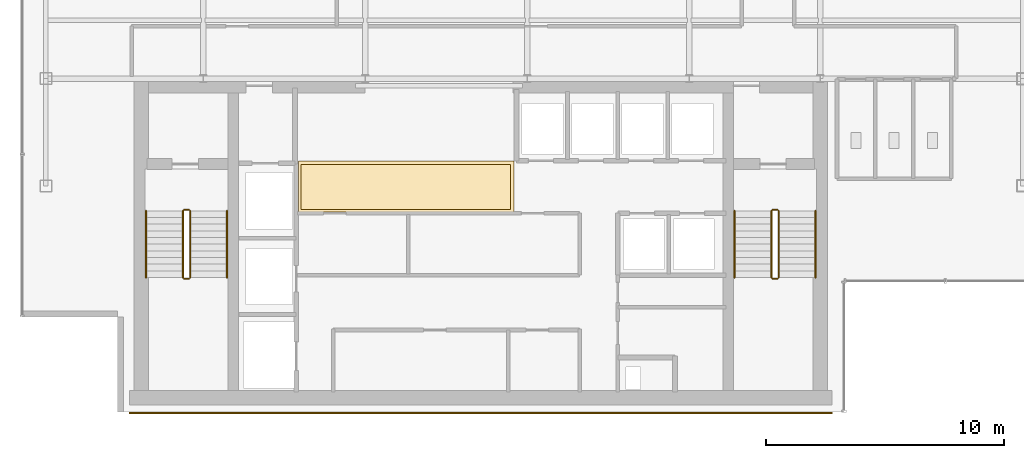
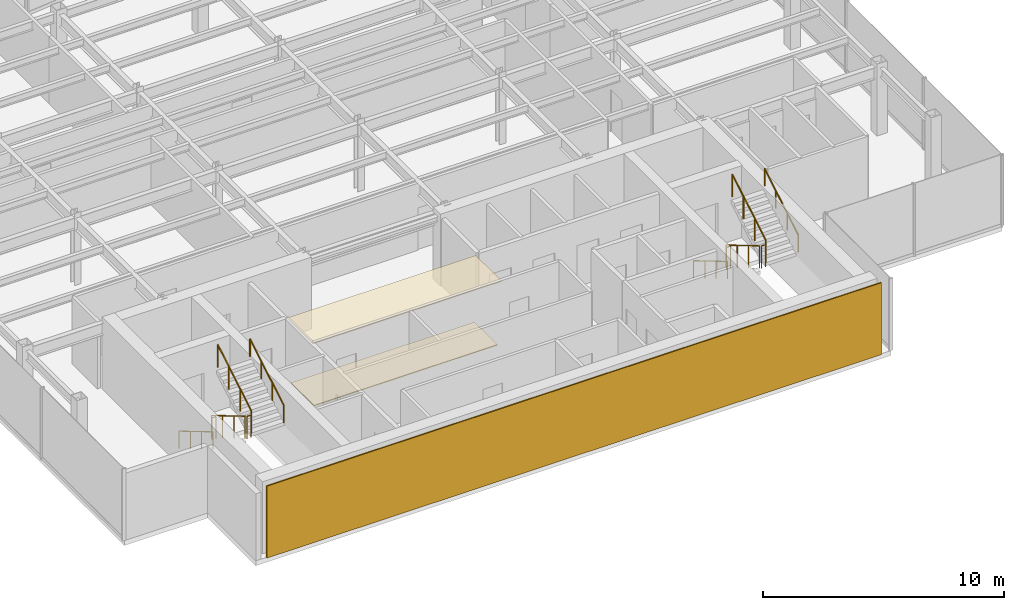
# One storey, part 20 of 22: 12 railings, 3 coverings.
"""IFC4 building model written with IfcOpenShell, lengths in metres."""

import ifcopenshell
import ifcopenshell.guid

model = None  # the IFC model being written
_history = None  # IfcOwnerHistory: only IFC2X3 demands one
_inside = {}  # id of a spatial element -> (the spatial element, [elements in it])
_under = {}  # id of a project, library or spatial element -> (it, [spatial elements below it])
_declared = {}  # id of a project -> (the project, [libraries it declares])
_typed = {}  # id of a type object -> (the type object, [elements of that type])
_made_of = {}  # id of a material, layer set ... -> (it, [elements and type objects made of it])


def new_model(schema):
    """Start an empty IFC model of exactly this schema.

    Asked for "IFC4X3", IfcOpenShell would pick the latest addendum, in which some entities
    have other attributes; the version numbers below select the first issue.
    IFC2X3 requires an IfcOwnerHistory on every rooted entity: one is made here for all.
    """
    global model, _history
    if schema == "IFC4X3":
        model = ifcopenshell.file(schema_version=(4, 3, 0, 0))
    else:
        model = ifcopenshell.file(schema=schema)
    _inside.clear()
    _under.clear()
    _declared.clear()
    _typed.clear()
    _made_of.clear()
    _history = None
    if model.schema == "IFC2X3":
        org = make("IfcOrganization", Name="unknown")
        user = make(
            "IfcPersonAndOrganization",
            ThePerson=make("IfcPerson", FamilyName="unknown"),
            TheOrganization=org,
        )
        app = make(
            "IfcApplication",
            ApplicationDeveloper=org,
            Version="unknown",
            ApplicationFullName="unknown",
            ApplicationIdentifier="unknown",
        )
        _history = make(
            "IfcOwnerHistory",
            OwningUser=user,
            OwningApplication=app,
            ChangeAction="ADDED",
            CreationDate=0,
        )
    return model


def make(cls, **values):
    """One entity of the class cls with the attributes given. An attribute that is None is left unset."""
    return model.create_entity(
        cls, **{name: value for name, value in values.items() if value is not None}
    )


def rooted(cls, **values):
    """An entity with a GlobalId (a new one), such as an element, a storey or a relation."""
    return make(cls, GlobalId=ifcopenshell.guid.new(), OwnerHistory=_history, **values)


def si_unit(unit_type, name, prefix=None):
    """IfcSIUnit, for example si_unit("LENGTHUNIT", "METRE", prefix="MILLI")."""
    return make("IfcSIUnit", UnitType=unit_type, Prefix=prefix, Name=name)


def derived_unit(unit_type, elements):
    """IfcDerivedUnit: a product of units, each with its exponent."""
    return make(
        "IfcDerivedUnit",
        Elements=[
            make("IfcDerivedUnitElement", Unit=unit, Exponent=power)
            for unit, power in elements
        ],
        UnitType=unit_type,
    )


def assignment(units):
    """IfcUnitAssignment: the units of a project."""
    return None if units is None else make("IfcUnitAssignment", Units=units)


def point(xyz):
    """IfcCartesianPoint."""
    return None if xyz is None else make("IfcCartesianPoint", Coordinates=xyz)


def direction(xyz):
    """IfcDirection."""
    return None if xyz is None else make("IfcDirection", DirectionRatios=xyz)


def frame(location, z_axis=None, x_axis=None):
    """IfcAxis2Placement3D, a coordinate frame: its origin and axes. An axis left out is left unset."""
    return make(
        "IfcAxis2Placement3D",
        Location=point(location),
        Axis=direction(z_axis),
        RefDirection=direction(x_axis),
    )


def frame_2d(location, x_axis=None):
    """IfcAxis2Placement2D, a coordinate frame in the plane: its origin and x axis."""
    return make(
        "IfcAxis2Placement2D", Location=point(location), RefDirection=direction(x_axis)
    )


def origin():
    """The frame at (0, 0, 0) with its axes left unset."""
    return frame((0.0, 0.0, 0.0))


def origin_2d():
    """The frame at (0, 0) in the plane with its x axis left unset."""
    return frame_2d((0.0, 0.0))


def place(relative_to, where):
    """IfcLocalPlacement: puts the frame where relative to a parent placement (None: the world)."""
    return make(
        "IfcLocalPlacement", PlacementRelTo=relative_to, RelativePlacement=where
    )


def context(
    kind, dimensions, precision=None, world=None, true_north=None, identifier=None
):
    """IfcGeometricRepresentationContext, for example the 3D "Model" context."""
    return make(
        "IfcGeometricRepresentationContext",
        ContextIdentifier=identifier,
        ContextType=kind,
        CoordinateSpaceDimension=dimensions,
        Precision=precision,
        WorldCoordinateSystem=world,
        TrueNorth=true_north,
    )


def subcontext(parent, identifier, kind, view, scale=None):
    """IfcGeometricRepresentationSubContext, for example "Body" below "Model"."""
    return make(
        "IfcGeometricRepresentationSubContext",
        ContextIdentifier=identifier,
        ContextType=kind,
        ParentContext=parent,
        TargetScale=scale,
        TargetView=view,
    )


def project(units=None, contexts=None):
    """IfcProject with its units and contexts."""
    return rooted(
        "IfcProject",
        Name="project",
        RepresentationContexts=contexts,
        UnitsInContext=assignment(units),
    )


def spatial(cls, under=None, at=None, **own):
    """A site, building, storey or space (cls), placed at a placement, below another one or the project."""
    s = rooted(cls, ObjectPlacement=at, **own)
    if under is not None:
        _under.setdefault(under.id(), (under, []))[1].append(s)
    return s


def polyline(points):
    """IfcPolyline through the points."""
    return make("IfcPolyline", Points=[point(p) for p in points])


def profile(cls, at=None, kind="AREA", **sizes):
    """A parametric profile (cls). Its sizes go by their IFC names, for example OverallWidth=200.0."""
    return make(cls, ProfileType=kind, Position=at, **sizes)


def rectangle(**sizes):
    """IfcRectangleProfileDef."""
    return profile("IfcRectangleProfileDef", **sizes)


def circle(**sizes):
    """IfcCircleProfileDef."""
    return profile("IfcCircleProfileDef", **sizes)


def outline(outer, holes=None, kind="AREA"):
    """IfcArbitraryClosedProfileDef: a profile drawn as a closed curve; with holes, ...WithVoids."""
    if holes is None:
        return make("IfcArbitraryClosedProfileDef", ProfileType=kind, OuterCurve=outer)
    return make(
        "IfcArbitraryProfileDefWithVoids",
        ProfileType=kind,
        OuterCurve=outer,
        InnerCurves=holes,
    )


def extrude(swept, where, along, depth):
    """IfcExtrudedAreaSolid: the profile swept, set in the frame where, extruded along a direction by depth."""
    return make(
        "IfcExtrudedAreaSolid",
        SweptArea=swept,
        Position=where,
        ExtrudedDirection=direction(along),
        Depth=depth,
    )


def shape(context_of_items, identifier, shape_type, items):
    """IfcShapeRepresentation: the items that make up one representation, for example the "Body"."""
    return make(
        "IfcShapeRepresentation",
        ContextOfItems=context_of_items,
        RepresentationIdentifier=identifier,
        RepresentationType=shape_type,
        Items=items,
    )


def source(mapping_origin, context_of_items, identifier, shape_type, items):
    """IfcRepresentationMap: a shape defined once, which mapped items show again and again."""
    return make(
        "IfcRepresentationMap",
        MappingOrigin=mapping_origin,
        MappedRepresentation=shape(context_of_items, identifier, shape_type, items),
    )


def transform(
    local_origin,
    x_axis=None,
    y_axis=None,
    z_axis=None,
    scale=None,
    scale2=None,
    scale3=None,
    uniform=True,
):
    """IfcCartesianTransformationOperator3D, or its non-uniform kind. x_axis, y_axis, z_axis: its Axis1, 2, 3."""
    if uniform:
        return make(
            "IfcCartesianTransformationOperator3D",
            Axis1=direction(x_axis),
            Axis2=direction(y_axis),
            LocalOrigin=point(local_origin),
            Scale=scale,
            Axis3=direction(z_axis),
        )
    return make(
        "IfcCartesianTransformationOperator3DnonUniform",
        Axis1=direction(x_axis),
        Axis2=direction(y_axis),
        LocalOrigin=point(local_origin),
        Scale=scale,
        Axis3=direction(z_axis),
        Scale2=scale2,
        Scale3=scale3,
    )


def mapped(mapping_source, mapping_target):
    """IfcMappedItem: shows the shape of a source again, moved by a transform."""
    return make(
        "IfcMappedItem", MappingSource=mapping_source, MappingTarget=mapping_target
    )


def material(Name=None, Category=None):
    """IfcMaterial."""
    return make("IfcMaterial", Name=Name, Category=Category)


def layer(
    of_material, thickness, ventilated=None, Name=None, Category=None, Priority=None
):
    """IfcMaterialLayer: one layer of a wall or slab, of a material (None: an air gap)."""
    return make(
        "IfcMaterialLayer",
        Material=of_material,
        LayerThickness=thickness,
        IsVentilated=ventilated,
        Name=Name,
        Category=Category,
        Priority=Priority,
    )


def layer_set(layers, Name=None):
    """IfcMaterialLayerSet."""
    return make("IfcMaterialLayerSet", MaterialLayers=layers, LayerSetName=Name)


def made_of(thing, what):
    """Note that an element or type object is made of a material, layer set ...; save() writes the relation."""
    if what is not None:
        _made_of.setdefault(what.id(), (what, []))[1].append(thing)
    return thing


def type_object(cls, material=None, **own):
    """A type object (cls), such as IfcWallType, which elements share."""
    return made_of(rooted(cls, **own), material)


def element(
    cls,
    number,
    at=None,
    inside=None,
    cuts=None,
    type_object=None,
    material=None,
    context=None,
    identifier="Body",
    shape_type=None,
    held_by="IfcProductDefinitionShape",
    body=None,
    shapes=None,
    **own,
):
    """One element of the class cls, such as IfcWall. Its Tag is "e" and its number.

    at: its placement. inside: the storey or other place that contains it. cuts: it is an
    opening in that element (IfcRelVoidsElement). A single representation is given by context,
    identifier, shape_type and body (its items); several are given by shapes. held_by: the class
    of the entity that holds the representations. save() writes the other relations.
    """
    e = rooted(cls, Tag="e%d" % number, ObjectPlacement=at, **own)
    if body is not None:
        shapes = [shape(context, identifier, shape_type, body)]
    if shapes is not None:
        e.Representation = make(held_by, Representations=shapes)
    if inside is not None:
        _inside.setdefault(inside.id(), (inside, []))[1].append(e)
    if cuts is not None:
        rooted(
            "IfcRelVoidsElement", RelatingBuildingElement=cuts, RelatedOpeningElement=e
        )
    if type_object is not None:
        _typed.setdefault(type_object.id(), (type_object, []))[1].append(e)
    return made_of(e, material)


def aggregate(whole, parts):
    """IfcRelAggregates: a whole, such as a stair, and the parts it consists of."""
    return rooted("IfcRelAggregates", RelatingObject=whole, RelatedObjects=parts)


def save(model, path):
    """Write the relations noted so far, then the file.

    IfcRelAggregates (storeys below a building ...), IfcRelContainedInSpatialStructure (elements
    in a storey), IfcRelDefinesByType, IfcRelAssociatesMaterial and IfcRelDeclares: one each for
    every whole, place, type object, material and project.
    """
    for whole, parts in _under.values():
        aggregate(whole, parts)
    for where, things in _inside.values():
        rooted(
            "IfcRelContainedInSpatialStructure",
            RelatedElements=things,
            RelatingStructure=where,
        )
    for kind, things in _typed.values():
        rooted("IfcRelDefinesByType", RelatedObjects=things, RelatingType=kind)
    for what, things in _made_of.values():
        rooted("IfcRelAssociatesMaterial", RelatedObjects=things, RelatingMaterial=what)
    for by, libraries in _declared.values():
        rooted("IfcRelDeclares", RelatingContext=by, RelatedDefinitions=libraries)
    model.write(path)


model = new_model("IFC4")

# Units and contexts
model_context = context("Model", 3, precision=1e-05, world=origin(), true_north=direction((0.0, 1.0)))
body_context = subcontext(model_context, "Body", "Model", "MODEL_VIEW")
ifc_project = project(units=[si_unit("LENGTHUNIT", "METRE"), si_unit("AREAUNIT", "SQUARE_METRE"), si_unit("VOLUMEUNIT", "CUBIC_METRE"), si_unit("PLANEANGLEUNIT", "RADIAN"), si_unit("MASSUNIT", "GRAM", prefix="KILO"), derived_unit("THERMALTRANSMITTANCEUNIT", [(si_unit("POWERUNIT", "WATT"), 1), (si_unit("LENGTHUNIT", "METRE"), -2), (si_unit("THERMODYNAMICTEMPERATUREUNIT", "KELVIN"), -1)])], contexts=[model_context])

# Site, building, storey
site_placement = place(None, origin())
site = spatial("IfcSite", under=ifc_project, at=site_placement, CompositionType="ELEMENT")
building_placement = place(site_placement, origin())
building = spatial("IfcBuilding", under=site, at=building_placement, Name="Skarnbrae Concourse Arena and Tower", CompositionType="ELEMENT")
storey_placement = place(building_placement, frame((0.0, 0.0, 199.550048828125)))
storey = spatial("IfcBuildingStorey", under=building, at=storey_placement, Name="L51", CompositionType="ELEMENT", Elevation=199.550048828125)

# Coverings
ifc_material_1 = material(Name="Mineral fibre acoustic ceiling tile", Category="other")
ifc_layer_1 = layer(ifc_material_1, 0.0400390625)
ifc_layer_set_1 = layer_set([ifc_layer_1], Name="Mineral fibre acoustic ceiling tile")
covering_type_1 = type_object("IfcCoveringType", Name="COV-CEIL-ACOUSTIC", PredefinedType="CEILING", material=ifc_layer_set_1)
covering_1_placement = place(storey_placement, frame((0.0, 0.0, 3.239990234375)))
element("IfcCovering", 1, at=covering_1_placement, inside=storey, type_object=covering_type_1, Name="L51 Lift lobby acoustic ceiling", PredefinedType="CEILING", context=body_context, shape_type="SweptSolid", body=[
    extrude(outline(polyline([(11.60009765625, 8.39990234375), (20.64990234375, 8.39990234375), (20.64990234375, 10.550048828125), (11.60009765625, 10.550048828125), (11.60009765625, 8.39990234375)])), origin(), (0.0, 0.0, 1.0), 0.0400390625),
])
ifc_material_2 = material(Name="Polished granite terrazzo flooring", Category="masonry")
ifc_layer_2 = layer(ifc_material_2, 0.0400390625)
ifc_layer_set_2 = layer_set([ifc_layer_2], Name="Polished granite terrazzo flooring")
covering_type_2 = type_object("IfcCoveringType", Name="COV-FLOOR-TERRAZZO", PredefinedType="FLOORING", material=ifc_layer_set_2)
covering_2_placement = place(storey_placement, origin())
element("IfcCovering", 2, at=covering_2_placement, inside=storey, type_object=covering_type_2, Name="L51 Lift lobby terrazzo flooring", PredefinedType="FLOORING", context=body_context, shape_type="SweptSolid", body=[
    extrude(outline(polyline([(11.699951171875, 8.5), (20.5, 8.5), (20.5, 10.39990234375), (11.699951171875, 10.39990234375), (11.699951171875, 8.5)])), origin(), (0.0, 0.0, 1.0), 0.0400390625),
])

# Railings
ifc_material_3 = material(Name="Steel CSA G40.21 350W", Category="steel")
railing_type_1 = type_object("IfcRailingType", Name="RAIL-HANDRAIL-900", PredefinedType="HANDRAIL", material=ifc_material_3)
railing_1_placement = place(storey_placement, frame((5.199951171875, 8.449951171875, 0.165771484375)))
element("IfcRailing", 3, at=railing_1_placement, inside=storey, type_object=railing_type_1, Name="L51 ST-1 stair handrail 1", PredefinedType="HANDRAIL", context=body_context, shape_type="SweptSolid", body=[
    extrude(circle(Radius=0.02392578125, at=origin_2d()), frame((0.0, 0.0, 0.8759765625), z_axis=(0.0, -0.860306154799, 0.50977771628), x_axis=(1.0, 0.0, 0.0)), (0.0, 0.0, 1.0), 3.254638671875),
    extrude(circle(Radius=0.02099609375, at=origin_2d()), origin(), (0.0, 0.0, 1.0), 0.851806640625),
    extrude(circle(Radius=0.02099609375, at=origin_2d()), frame((0.0, -0.933349609375, 0.552978515625)), (0.0, 0.0, 1.0), 0.851806640625),
    extrude(circle(Radius=0.02099609375, at=origin_2d()), frame((0.0, -1.86669921875, 1.106201171875)), (0.0, 0.0, 1.0), 0.851806640625),
    extrude(circle(Radius=0.02099609375, at=origin_2d()), frame((0.0, -2.800048828125, 1.6591796875)), (0.0, 0.0, 1.0), 0.851806640625),
])
railing_2_placement = place(storey_placement, frame((8.60009765625, 5.64990234375, 1.990966796875)))
element("IfcRailing", 4, at=railing_2_placement, inside=storey, type_object=railing_type_1, Name="L51 ST-1 stair handrail 2", PredefinedType="HANDRAIL", context=body_context, shape_type="SweptSolid", body=[
    extrude(circle(Radius=0.02392578125, at=origin_2d()), frame((0.0, 0.0, 0.8759765625), z_axis=(0.0, 0.860339051648, 0.50972219513), x_axis=(-1.0, 0.0, 0.0)), (0.0, 0.0, 1.0), 3.254638671875),
    extrude(circle(Radius=0.02099609375, at=origin_2d()), origin(), (0.0, 0.0, 1.0), 0.851806640625),
    extrude(circle(Radius=0.02099609375, at=origin_2d()), frame((0.0, 0.933349609375, 0.552978515625)), (0.0, 0.0, 1.0), 0.851806640625),
    extrude(circle(Radius=0.02099609375, at=origin_2d()), frame((0.0, 1.86669921875, 1.10595703125)), (0.0, 0.0, 1.0), 0.851806640625),
    extrude(circle(Radius=0.02099609375, at=origin_2d()), frame((0.0, 2.800048828125, 1.658935546875)), (0.0, 0.0, 1.0), 0.851806640625),
])
railing_3_placement = place(storey_placement, frame((29.89990234375, 8.449951171875, 0.165771484375)))
element("IfcRailing", 5, at=railing_3_placement, inside=storey, type_object=railing_type_1, Name="L51 ST-2 stair handrail 1", PredefinedType="HANDRAIL", context=body_context, shape_type="SweptSolid", body=[
    extrude(circle(Radius=0.02392578125, at=origin_2d()), frame((0.0, 0.0, 0.8759765625), z_axis=(0.0, -0.860306154799, 0.50977771628), x_axis=(1.0, 0.0, 0.0)), (0.0, 0.0, 1.0), 3.254638671875),
    extrude(circle(Radius=0.02099609375, at=origin_2d()), origin(), (0.0, 0.0, 1.0), 0.851806640625),
    extrude(circle(Radius=0.02099609375, at=origin_2d()), frame((0.0, -0.933349609375, 0.552978515625)), (0.0, 0.0, 1.0), 0.851806640625),
    extrude(circle(Radius=0.02099609375, at=origin_2d()), frame((0.0, -1.86669921875, 1.106201171875)), (0.0, 0.0, 1.0), 0.851806640625),
    extrude(circle(Radius=0.02099609375, at=origin_2d()), frame((0.0, -2.800048828125, 1.6591796875)), (0.0, 0.0, 1.0), 0.851806640625),
])
railing_4_placement = place(storey_placement, frame((33.300048828125, 5.64990234375, 1.990966796875)))
element("IfcRailing", 6, at=railing_4_placement, inside=storey, type_object=railing_type_1, Name="L51 ST-2 stair handrail 2", PredefinedType="HANDRAIL", context=body_context, shape_type="SweptSolid", body=[
    extrude(circle(Radius=0.02392578125, at=origin_2d()), frame((0.0, 0.0, 0.8759765625), z_axis=(0.0, 0.860339051648, 0.50972219513), x_axis=(-1.0, 0.0, 0.0)), (0.0, 0.0, 1.0), 3.254638671875),
    extrude(circle(Radius=0.02099609375, at=origin_2d()), origin(), (0.0, 0.0, 1.0), 0.851806640625),
    extrude(circle(Radius=0.02099609375, at=origin_2d()), frame((0.0, 0.933349609375, 0.552978515625)), (0.0, 0.0, 1.0), 0.851806640625),
    extrude(circle(Radius=0.02099609375, at=origin_2d()), frame((0.0, 1.86669921875, 1.10595703125)), (0.0, 0.0, 1.0), 0.851806640625),
    extrude(circle(Radius=0.02099609375, at=origin_2d()), frame((0.0, 2.800048828125, 1.658935546875)), (0.0, 0.0, 1.0), 0.851806640625),
])
railing_type_2 = type_object("IfcRailingType", Name="RAIL-STAIR-GUARD-1150", PredefinedType="GUARDRAIL", material=ifc_material_3)
railing_5_placement = place(storey_placement, frame((6.75, 8.449951171875, 0.165771484375)))
element("IfcRailing", 7, at=railing_5_placement, inside=storey, type_object=railing_type_2, Name="L51 ST-1 stair guard 1", PredefinedType="GUARDRAIL", context=body_context, shape_type="SweptSolid", body=[
    extrude(circle(Radius=0.02392578125, at=origin_2d()), frame((0.0, 0.0, 1.1259765625), z_axis=(0.0, -0.860306154799, 0.50977771628), x_axis=(1.0, 0.0, 0.0)), (0.0, 0.0, 1.0), 3.254638671875),
    extrude(circle(Radius=0.02099609375, at=origin_2d()), origin(), (0.0, 0.0, 1.0), 1.101806640625),
    extrude(circle(Radius=0.02099609375, at=origin_2d()), frame((0.0, -0.933349609375, 0.552978515625)), (0.0, 0.0, 1.0), 1.101806640625),
    extrude(circle(Radius=0.02099609375, at=origin_2d()), frame((0.0, -1.86669921875, 1.106201171875)), (0.0, 0.0, 1.0), 1.101806640625),
    extrude(circle(Radius=0.02099609375, at=origin_2d()), frame((0.0, -2.800048828125, 1.6591796875)), (0.0, 0.0, 1.0), 1.101806640625),
])
railing_6_placement = place(storey_placement, frame((6.800048828125, 5.60009765625, 1.824951171875)))
element("IfcRailing", 8, at=railing_6_placement, inside=storey, type_object=railing_type_2, Name="L51 ST-1 stair guard 2", PredefinedType="GUARDRAIL", context=body_context, shape_type="SweptSolid", body=[
    extrude(circle(Radius=0.02392578125, at=origin_2d()), frame((0.0, 0.0, 1.1259765625), z_axis=(1.0, 0.0, 0.0), x_axis=(0.0, 1.0, 0.0)), (0.0, 0.0, 1.0), 0.199951171875),
    extrude(circle(Radius=0.02099609375, at=origin_2d()), origin(), (0.0, 0.0, 1.0), 1.101806640625),
    extrude(circle(Radius=0.02099609375, at=origin_2d()), frame((0.199951171875, 0.0, 0.0)), (0.0, 0.0, 1.0), 1.101806640625),
])
railing_7_placement = place(storey_placement, frame((7.050048828125, 5.64990234375, 1.990966796875)))
element("IfcRailing", 9, at=railing_7_placement, inside=storey, type_object=railing_type_2, Name="L51 ST-1 stair guard 3", PredefinedType="GUARDRAIL", context=body_context, shape_type="SweptSolid", body=[
    extrude(circle(Radius=0.02392578125, at=origin_2d()), frame((0.0, 0.0, 1.1259765625), z_axis=(0.0, 0.860339051648, 0.50972219513), x_axis=(-1.0, 0.0, 0.0)), (0.0, 0.0, 1.0), 3.254638671875),
    extrude(circle(Radius=0.02099609375, at=origin_2d()), origin(), (0.0, 0.0, 1.0), 1.101806640625),
    extrude(circle(Radius=0.02099609375, at=origin_2d()), frame((0.0, 0.933349609375, 0.552978515625)), (0.0, 0.0, 1.0), 1.101806640625),
    extrude(circle(Radius=0.02099609375, at=origin_2d()), frame((0.0, 1.86669921875, 1.10595703125)), (0.0, 0.0, 1.0), 1.101806640625),
    extrude(circle(Radius=0.02099609375, at=origin_2d()), frame((0.0, 2.800048828125, 1.658935546875)), (0.0, 0.0, 1.0), 1.101806640625),
])
railing_8_placement = place(storey_placement, frame((6.800048828125, 8.5, 0.0)))
element("IfcRailing", 10, at=railing_8_placement, inside=storey, type_object=railing_type_2, Name="L51 ST-1 stair guard 4", PredefinedType="GUARDRAIL", context=body_context, shape_type="SweptSolid", body=[
    extrude(circle(Radius=0.02392578125, at=origin_2d()), frame((0.0, 0.0, 1.1259765625), z_axis=(1.0, 0.0, 0.0), x_axis=(0.0, 1.0, 0.0)), (0.0, 0.0, 1.0), 0.199951171875),
    extrude(circle(Radius=0.02099609375, at=origin_2d()), origin(), (0.0, 0.0, 1.0), 1.101806640625),
    extrude(circle(Radius=0.02099609375, at=origin_2d()), frame((0.199951171875, 0.0, 0.0)), (0.0, 0.0, 1.0), 1.101806640625),
])
railing_9_placement = place(storey_placement, frame((31.449951171875, 8.449951171875, 0.165771484375)))
element("IfcRailing", 11, at=railing_9_placement, inside=storey, type_object=railing_type_2, Name="L51 ST-2 stair guard 1", PredefinedType="GUARDRAIL", context=body_context, shape_type="SweptSolid", body=[
    extrude(circle(Radius=0.02392578125, at=origin_2d()), frame((0.0, 0.0, 1.1259765625), z_axis=(0.0, -0.860306154799, 0.50977771628), x_axis=(1.0, 0.0, 0.0)), (0.0, 0.0, 1.0), 3.254638671875),
    extrude(circle(Radius=0.02099609375, at=origin_2d()), origin(), (0.0, 0.0, 1.0), 1.101806640625),
    extrude(circle(Radius=0.02099609375, at=origin_2d()), frame((0.0, -0.933349609375, 0.552978515625)), (0.0, 0.0, 1.0), 1.101806640625),
    extrude(circle(Radius=0.02099609375, at=origin_2d()), frame((0.0, -1.86669921875, 1.106201171875)), (0.0, 0.0, 1.0), 1.101806640625),
    extrude(circle(Radius=0.02099609375, at=origin_2d()), frame((0.0, -2.800048828125, 1.6591796875)), (0.0, 0.0, 1.0), 1.101806640625),
])
railing_10_placement = place(storey_placement, frame((31.5, 5.60009765625, 1.824951171875)))
element("IfcRailing", 12, at=railing_10_placement, inside=storey, type_object=railing_type_2, Name="L51 ST-2 stair guard 2", PredefinedType="GUARDRAIL", context=body_context, shape_type="SweptSolid", body=[
    extrude(circle(Radius=0.02392578125, at=origin_2d()), frame((0.0, 0.0, 1.1259765625), z_axis=(1.0, 0.0, 0.0), x_axis=(0.0, 1.0, 0.0)), (0.0, 0.0, 1.0), 0.199951171875),
    extrude(circle(Radius=0.02099609375, at=origin_2d()), origin(), (0.0, 0.0, 1.0), 1.101806640625),
    extrude(circle(Radius=0.02099609375, at=origin_2d()), frame((0.199951171875, 0.0, 0.0)), (0.0, 0.0, 1.0), 1.101806640625),
])
railing_11_placement = place(storey_placement, frame((31.75, 5.64990234375, 1.990966796875)))
element("IfcRailing", 13, at=railing_11_placement, inside=storey, type_object=railing_type_2, Name="L51 ST-2 stair guard 3", PredefinedType="GUARDRAIL", context=body_context, shape_type="SweptSolid", body=[
    extrude(circle(Radius=0.02392578125, at=origin_2d()), frame((0.0, 0.0, 1.1259765625), z_axis=(0.0, 0.860339051648, 0.50972219513), x_axis=(-1.0, 0.0, 0.0)), (0.0, 0.0, 1.0), 3.254638671875),
    extrude(circle(Radius=0.02099609375, at=origin_2d()), origin(), (0.0, 0.0, 1.0), 1.101806640625),
    extrude(circle(Radius=0.02099609375, at=origin_2d()), frame((0.0, 0.933349609375, 0.552978515625)), (0.0, 0.0, 1.0), 1.101806640625),
    extrude(circle(Radius=0.02099609375, at=origin_2d()), frame((0.0, 1.86669921875, 1.10595703125)), (0.0, 0.0, 1.0), 1.101806640625),
    extrude(circle(Radius=0.02099609375, at=origin_2d()), frame((0.0, 2.800048828125, 1.658935546875)), (0.0, 0.0, 1.0), 1.101806640625),
])
railing_12_placement = place(storey_placement, frame((31.5, 8.5, 0.0)))
element("IfcRailing", 14, at=railing_12_placement, inside=storey, type_object=railing_type_2, Name="L51 ST-2 stair guard 4", PredefinedType="GUARDRAIL", context=body_context, shape_type="SweptSolid", body=[
    extrude(circle(Radius=0.02392578125, at=origin_2d()), frame((0.0, 0.0, 1.1259765625), z_axis=(1.0, 0.0, 0.0), x_axis=(0.0, 1.0, 0.0)), (0.0, 0.0, 1.0), 0.199951171875),
    extrude(circle(Radius=0.02099609375, at=origin_2d()), origin(), (0.0, 0.0, 1.0), 1.101806640625),
    extrude(circle(Radius=0.02099609375, at=origin_2d()), frame((0.199951171875, 0.0, 0.0)), (0.0, 0.0, 1.0), 1.101806640625),
])

# Covering
ifc_material_4 = material(Name="Bronze anodised aluminium 6063-T6", Category="aluminium")
ifc_layer_3 = layer(ifc_material_4, 0.06005859375)
ifc_layer_set_3 = layer_set([ifc_layer_3], Name="Bronze anodised aluminium 6063-T6")
covering_type_3 = type_object("IfcCoveringType", Name="COV-CLAD-BRONZE-60", PredefinedType="CLADDING", material=ifc_layer_set_3)
shared_shape = source(origin(), body_context, "Body", "SweptSolid", [
    extrude(rectangle(XDim=29.5, YDim=0.06005859375, at=origin_2d()), origin(), (0.0, 0.0, 1.0), 3.64990234375),
])
covering_3_placement = place(storey_placement, frame((19.25, -0.030029296875, 0.0), z_axis=(0.0, 0.0, 1.0), x_axis=(1.0, 0.0, 0.0)))
element("IfcCovering", 15, at=covering_3_placement, inside=storey, type_object=covering_type_3, Name="L51 Rear-core plumb spine bronze rainscreen panel", PredefinedType="CLADDING", context=body_context, shape_type="MappedRepresentation", body=[
    mapped(shared_shape, transform((0.0, 0.0, 0.0))),
])

save(model, "model.ifc")
